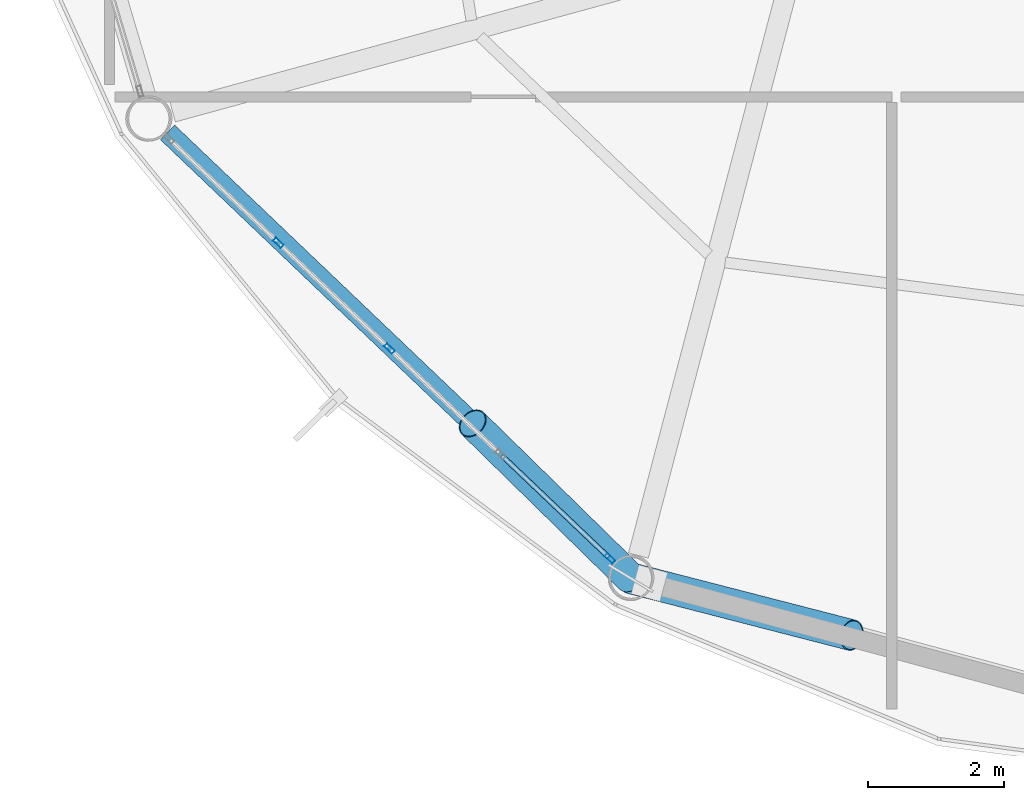
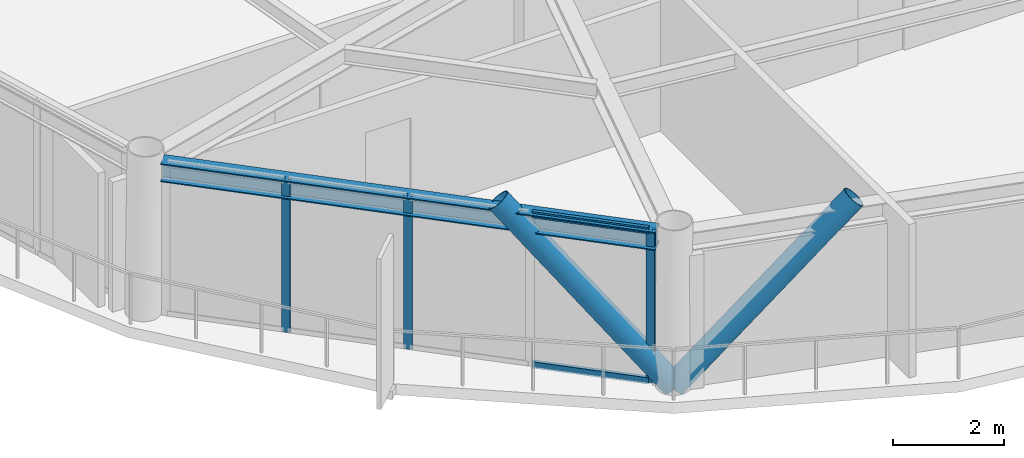
# One storey, part 2 of 28: 7 members, 1 beam, 1 element without a shape of its own.
"""IFC4 building model written with IfcOpenShell, lengths in metres."""

from ifc_helpers import new_model, si_unit, direction, frame, origin, origin_2d, place, context, subcontext, project, spatial, hollow_rectangle, hollow_circle, i_section, extrude, material, layer, layer_set, material_profile, profile_set, type_object, element, aggregate, save


model = new_model("IFC4")

# Units and contexts
model_context = context("Model", 3, precision=1e-05, world=origin(), true_north=direction((0.0, 1.0)))
body_context = subcontext(model_context, "Body", "Model", "MODEL_VIEW")
ifc_project = project(units=[si_unit("LENGTHUNIT", "METRE"), si_unit("AREAUNIT", "SQUARE_METRE"), si_unit("VOLUMEUNIT", "CUBIC_METRE"), si_unit("PLANEANGLEUNIT", "RADIAN"), si_unit("MASSUNIT", "GRAM", prefix="KILO")], contexts=[model_context])

# Site, building, storey
site_placement = place(None, origin())
site = spatial("IfcSite", under=ifc_project, at=site_placement, CompositionType="ELEMENT")
building_placement = place(site_placement, origin())
building = spatial("IfcBuilding", under=site, at=building_placement, Name="Varnakorn Sky Granary", CompositionType="ELEMENT")
storey_placement = place(building_placement, frame((0.0, 0.0, 193.199951171875)))
storey = spatial("IfcBuildingStorey", under=building, at=storey_placement, Name="L48", CompositionType="ELEMENT", Elevation=193.199951171875)

# Beam
ifc_material_1 = material(Name="Steel S355JR", Category="steel")
ifc_material_profile_1 = material_profile(ifc_material_1, i_section(OverallWidth=0.300048828125, OverallDepth=0.39990234375, WebThickness=0.013427734375, FlangeThickness=0.02392578125, at=origin_2d()), Name="HE 400 B")
ifc_profile_set_1 = profile_set([ifc_material_profile_1], Name="Steel S355JR")
beam_type = type_object("IfcBeamType", Name="BM-SPD-Z4", PredefinedType="SPANDREL", material=ifc_profile_set_1)
beam_placement = place(storey_placement, frame((-11.64404296875, -9.42333984375, 3.16015625), z_axis=(0.723716437857, -0.69009746962, 0.0), x_axis=(0.69009746962, 0.723716437857, 0.0)))
element("IfcBeam", 1, at=beam_placement, inside=storey, type_object=beam_type, Name="Perimeter Spandrel Ring Beam RB08 L48", PredefinedType="SPANDREL", context=body_context, shape_type="SweptSolid", body=[
    extrude(i_section(OverallWidth=0.300048828125, OverallDepth=0.39990234375, WebThickness=0.013427734375, FlangeThickness=0.02392578125, at=origin_2d()), origin(), (0.0, 0.0, 1.0), 9.135498046875),
])

# Curtain wall, members
ifc_material_2 = material(Name="Anodised Bronze Aluminium Alloy 6063-T6", Category="aluminium")
ifc_layer = layer(ifc_material_2, 0.169921875, Name="Anodised Bronze Aluminium Alloy 6063-T6")
ifc_layer_set = layer_set([ifc_layer], Name="Anodised Bronze Aluminium Alloy 6063-T6")
curtain_wall_type = type_object("IfcCurtainWallType", Name="CW-LAB-1", PredefinedType="USERDEFINED", material=ifc_layer_set)
curtain_wall_placement = place(storey_placement, origin())
curtain_wall = element("IfcCurtainWall", 2, at=curtain_wall_placement, inside=storey, type_object=curtain_wall_type, Name="Unitised Curtain Wall CW5 CW-L48-B08", ObjectType="CURTAIN WALL", PredefinedType="USERDEFINED")
ifc_material_profile_2 = material_profile(ifc_material_2, hollow_rectangle(XDim=0.06494140625, YDim=0.159912109375, WallThickness=0.00341796875, at=origin_2d()), Name="ALU MULL 65x160")
ifc_profile_set_2 = profile_set([ifc_material_profile_2], Name="Anodised Bronze Aluminium Alloy 6063-T6")
member_type_1 = type_object("IfcMemberType", Name="CW-LAB-1-MULL", PredefinedType="MULLION", material=ifc_profile_set_2)
member_1_placement = place(storey_placement, frame((-5.14404296875, -15.683349609375, 0.0), z_axis=(0.0, 0.0, 1.0), x_axis=(-0.689516343161, -0.724270123996, 0.0)))
member_1 = element("IfcMember", 3, at=member_1_placement, type_object=member_type_1, Name="CW5 mullion 1", PredefinedType="MULLION", context=body_context, shape_type="SweptSolid", body=[
    extrude(hollow_rectangle(XDim=0.06494140625, YDim=0.159912109375, WallThickness=0.00341796875, at=origin_2d()), origin(), (0.0, 0.0, 1.0), 3.360107421875),
])
member_2_placement = place(storey_placement, frame((-8.384033203125, -12.598876953125, 0.0), z_axis=(0.0, 0.0, 1.0), x_axis=(-0.689516343161, -0.724270123996, 0.0)))
member_2 = element("IfcMember", 4, at=member_2_placement, type_object=member_type_1, Name="CW5 mullion 3", PredefinedType="MULLION", context=body_context, shape_type="SweptSolid", body=[
    extrude(hollow_rectangle(XDim=0.06494140625, YDim=0.159912109375, WallThickness=0.00341796875, at=origin_2d()), origin(), (0.0, 0.0, 1.0), 3.360107421875),
])
member_3_placement = place(storey_placement, frame((-10.015869140625, -11.04541015625, 0.0), z_axis=(0.0, 0.0, 1.0), x_axis=(-0.689516343161, -0.724270123996, 0.0)))
member_3 = element("IfcMember", 5, at=member_3_placement, type_object=member_type_1, Name="CW5 mullion 4", PredefinedType="MULLION", context=body_context, shape_type="SweptSolid", body=[
    extrude(hollow_rectangle(XDim=0.06494140625, YDim=0.159912109375, WallThickness=0.00341796875, at=origin_2d()), origin(), (0.0, 0.0, 1.0), 3.360107421875),
])
ifc_material_profile_3 = material_profile(ifc_material_2, hollow_rectangle(XDim=0.070068359375, YDim=0.139892578125, WallThickness=0.00341796875, at=origin_2d()), Name="ALU TRAN 70x140")
ifc_profile_set_3 = profile_set([ifc_material_profile_3], Name="Anodised Bronze Aluminium Alloy 6063-T6")
member_type_2 = type_object("IfcMemberType", Name="CW-LAB-1-TRAN", PredefinedType="USERDEFINED", material=ifc_profile_set_3)
member_4_placement = place(storey_placement, frame((-5.16748046875, -15.660888671875, 0.03515625), z_axis=(-0.724334534193, 0.689448680161, 0.0), x_axis=(-0.689448680161, -0.724334534193, 0.0)))
member_4 = element("IfcMember", 6, at=member_4_placement, type_object=member_type_2, Name="CW5 transom 1.1", ObjectType="TRANSOM", PredefinedType="USERDEFINED", context=body_context, shape_type="SweptSolid", body=[
    extrude(hollow_rectangle(XDim=0.070068359375, YDim=0.139892578125, WallThickness=0.00341796875, at=origin_2d()), origin(), (0.0, 0.0, 1.0), 2.155517578125),
])
member_5_placement = place(storey_placement, frame((-5.16748046875, -15.660888671875, 3.324951171875), z_axis=(-0.724334534193, 0.689448680161, 0.0), x_axis=(-0.689448680161, -0.724334534193, 0.0)))
member_5 = element("IfcMember", 7, at=member_5_placement, type_object=member_type_2, Name="CW5 transom 1.2", ObjectType="TRANSOM", PredefinedType="USERDEFINED", context=body_context, shape_type="SweptSolid", body=[
    extrude(hollow_rectangle(XDim=0.070068359375, YDim=0.139892578125, WallThickness=0.00341796875, at=origin_2d()), origin(), (0.0, 0.0, 1.0), 2.155517578125),
])
aggregate(curtain_wall, [member_1, member_2, member_3, member_4, member_5])

# Members
ifc_material_3 = material(Name="Steel S460M", Category="steel")
ifc_material_profile_4 = material_profile(ifc_material_3, hollow_circle(Radius=0.228515625, WallThickness=0.01611328125, at=origin_2d()), Name="CHS 457x16")
ifc_profile_set_4 = profile_set([ifc_material_profile_4], Name="Steel S460M")
member_type_3 = type_object("IfcMemberType", Name="MB-DIAG-T3", PredefinedType="BRACE", material=ifc_profile_set_4)
member_6_placement = place(storey_placement, frame((-4.837890625, -15.974609375, 0.0), z_axis=(-0.486902563618, 0.477075454166, 0.731659008401), x_axis=(-0.699861936331, -0.714278146155, 0.0)))
element("IfcMember", 8, at=member_6_placement, inside=storey, type_object=member_type_3, Name="Perimeter CHS Diagrid Brace DG08 L48", PredefinedType="BRACE", context=body_context, shape_type="SweptSolid", body=[
    extrude(hollow_circle(Radius=0.228515625, WallThickness=0.01611328125, at=origin_2d()), origin(), (0.0, 0.0, 1.0), 4.77001953125),
])
member_7_placement = place(storey_placement, frame((-4.837890625, -15.974609375, 0.0), z_axis=(0.671409429135, -0.173006769336, 0.720609489413), x_axis=(0.249526177568, 0.968368053329, 0.0)))
element("IfcMember", 9, at=member_7_placement, inside=storey, type_object=member_type_3, Name="Perimeter CHS Diagrid Brace DG09 L48", PredefinedType="BRACE", context=body_context, shape_type="SweptSolid", body=[
    extrude(hollow_circle(Radius=0.228515625, WallThickness=0.01611328125, at=origin_2d()), origin(), (0.0, 0.0, 1.0), 4.843017578125),
])

save(model, "model.ifc")
